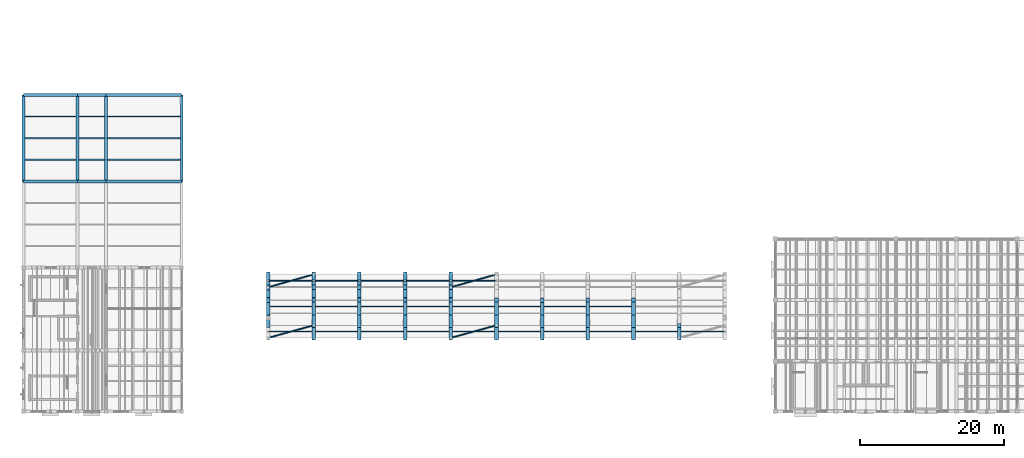
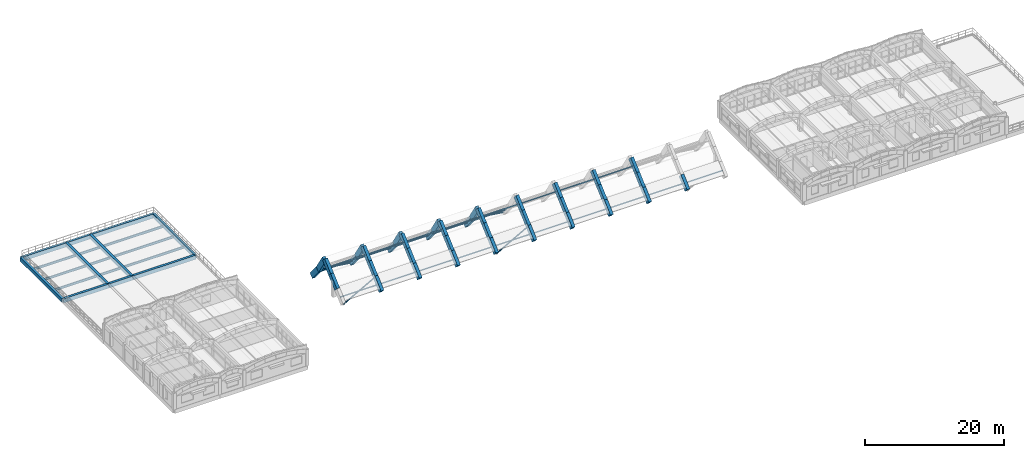
# One storey, part 6 of 40: 64 members, 19 beams.
"""IFC4 building model written with IfcOpenShell, lengths in metres."""

from ifc_helpers import new_model, si_unit, direction, frame, origin, origin_2d, place, context, subcontext, project, spatial, rectangle, hollow_rectangle, hollow_circle, i_section, extrude, material, material_profile, profile_set, type_object, element, save


model = new_model("IFC4")

# Units and contexts
model_context = context("Model", 3, precision=1e-05, world=origin(), true_north=direction((0.0, 1.0)))
body_context = subcontext(model_context, "Body", "Model", "MODEL_VIEW")
ifc_project = project(units=[si_unit("LENGTHUNIT", "METRE"), si_unit("AREAUNIT", "SQUARE_METRE"), si_unit("VOLUMEUNIT", "CUBIC_METRE"), si_unit("PLANEANGLEUNIT", "RADIAN"), si_unit("MASSUNIT", "GRAM", prefix="KILO")], contexts=[model_context])

# Site, building, storey
site_placement = place(None, origin())
site = spatial("IfcSite", under=ifc_project, at=site_placement, CompositionType="ELEMENT")
building_placement = place(site_placement, origin())
building = spatial("IfcBuilding", under=site, at=building_placement, Name="Trellovar Central Fire Station", CompositionType="ELEMENT")
storey_placement = place(building_placement, frame((0.0, 0.0, 12.75)))
storey = spatial("IfcBuildingStorey", under=building, at=storey_placement, Name="L04", CompositionType="ELEMENT", Elevation=12.75)

# Beams
ifc_material_1 = material(Name="Concrete C40/50", Category="concrete")
ifc_material_profile_1 = material_profile(ifc_material_1, rectangle(XDim=0.39990234375, YDim=0.699951171875, at=origin_2d()), Name="RC400X700")
ifc_profile_set_1 = profile_set([ifc_material_profile_1], Name="Concrete C40/50")
beam_type_1 = type_object("IfcBeamType", Name="BM-G3", PredefinedType="BEAM", material=ifc_profile_set_1)
beam_1_placement = place(storey_placement, frame((1.0, 41.0, -0.35009765625), z_axis=(1.0, 0.0, 0.0), x_axis=(0.0, 1.0, 0.0)))
element("IfcBeam", 1, at=beam_1_placement, inside=storey, type_object=beam_type_1, Name="L04 beam G-3", PredefinedType="BEAM", context=body_context, shape_type="SweptSolid", body=[
    extrude(rectangle(XDim=0.39990234375, YDim=0.699951171875, at=origin_2d()), origin(), (0.0, 0.0, 1.0), 7.5),
])
beam_2_placement = place(storey_placement, frame((8.5, 41.0, -0.35009765625), z_axis=(1.0, 0.0, 0.0), x_axis=(0.0, 1.0, 0.0)))
element("IfcBeam", 2, at=beam_2_placement, inside=storey, type_object=beam_type_1, Name="L04 beam G-3", PredefinedType="BEAM", context=body_context, shape_type="SweptSolid", body=[
    extrude(rectangle(XDim=0.39990234375, YDim=0.699951171875, at=origin_2d()), origin(), (0.0, 0.0, 1.0), 4.0),
])
beam_3_placement = place(storey_placement, frame((12.5, 41.0, -0.35009765625), z_axis=(1.0, 0.0, 0.0), x_axis=(0.0, 1.0, 0.0)))
element("IfcBeam", 3, at=beam_3_placement, inside=storey, type_object=beam_type_1, Name="L04 beam G-3", PredefinedType="BEAM", context=body_context, shape_type="SweptSolid", body=[
    extrude(rectangle(XDim=0.39990234375, YDim=0.699951171875, at=origin_2d()), origin(), (0.0, 0.0, 1.0), 10.5),
])
beam_4_placement = place(storey_placement, frame((1.0, 53.0, -0.35009765625), z_axis=(1.0, 0.0, 0.0), x_axis=(0.0, 1.0, 0.0)))
element("IfcBeam", 4, at=beam_4_placement, inside=storey, type_object=beam_type_1, Name="L04 beam G-3", PredefinedType="BEAM", context=body_context, shape_type="SweptSolid", body=[
    extrude(rectangle(XDim=0.39990234375, YDim=0.699951171875, at=origin_2d()), origin(), (0.0, 0.0, 1.0), 7.5),
])
beam_5_placement = place(storey_placement, frame((8.5, 53.0, -0.35009765625), z_axis=(1.0, 0.0, 0.0), x_axis=(0.0, 1.0, 0.0)))
element("IfcBeam", 5, at=beam_5_placement, inside=storey, type_object=beam_type_1, Name="L04 beam G-3", PredefinedType="BEAM", context=body_context, shape_type="SweptSolid", body=[
    extrude(rectangle(XDim=0.39990234375, YDim=0.699951171875, at=origin_2d()), origin(), (0.0, 0.0, 1.0), 4.0),
])
beam_6_placement = place(storey_placement, frame((12.5, 53.0, -0.35009765625), z_axis=(1.0, 0.0, 0.0), x_axis=(0.0, 1.0, 0.0)))
element("IfcBeam", 6, at=beam_6_placement, inside=storey, type_object=beam_type_1, Name="L04 beam G-3", PredefinedType="BEAM", context=body_context, shape_type="SweptSolid", body=[
    extrude(rectangle(XDim=0.39990234375, YDim=0.699951171875, at=origin_2d()), origin(), (0.0, 0.0, 1.0), 10.5),
])
ifc_material_2 = material(Name="Concrete C40/50", Category="concrete")
ifc_material_profile_2 = material_profile(ifc_material_2, rectangle(XDim=0.39990234375, YDim=0.64990234375, at=origin_2d()), Name="RC400X650")
ifc_profile_set_2 = profile_set([ifc_material_profile_2], Name="Concrete C40/50")
beam_type_2 = type_object("IfcBeamType", Name="BM-G4", PredefinedType="BEAM", material=ifc_profile_set_2)
for number, where, z_axis, x_axis, name in (
    (7, (1.0, 41.0, -0.324951171875), (0.0, 1.0, 0.0), (-1.0, 0.0, 0.0), "L04 beam G-4"),
    (8, (8.5, 41.0, -0.324951171875), (0.0, 1.0, 0.0), (-1.0, 0.0, 0.0), "L04 beam G-4"),
    (9, (12.5, 41.0, -0.324951171875), (0.0, 1.0, 0.0), (-1.0, 0.0, 0.0), "L04 beam G-4"),
    (10, (23.0, 41.0, -0.324951171875), (0.0, 1.0, 0.0), (-1.0, 0.0, 0.0), "L04 beam G-4"),
):
    element("IfcBeam", number, at=place(storey_placement, frame(where, z_axis=z_axis, x_axis=x_axis)), inside=storey, type_object=beam_type_2, Name=name, PredefinedType="BEAM", context=body_context, shape_type="SweptSolid", body=[
        extrude(rectangle(XDim=0.39990234375, YDim=0.64990234375, at=origin_2d()), origin(), (0.0, 0.0, 1.0), 12.0),
    ])
ifc_material_3 = material(Name="Steel ASTM A992 Grade 50", Category="steel")
ifc_material_profile_3 = material_profile(ifc_material_3, i_section(OverallWidth=0.177490234375, OverallDepth=0.40380859375, WebThickness=0.007568359375, FlangeThickness=0.010986328125, FilletRadius=0.011474609375, at=origin_2d()), Name="W16X36")
ifc_profile_set_3 = profile_set([ifc_material_profile_3], Name="Steel ASTM A992 Grade 50")
beam_type_3 = type_object("IfcBeamType", Name="BM-SW11", PredefinedType="JOIST", material=ifc_profile_set_3)
for number, where, z_axis, x_axis, name in (
    (11, (1.195068359375, 44.0, -0.44189453125), (1.0, 0.0, 0.0), (0.0, 1.0, 0.0), "L04 beam SB-11"),
    (12, (1.195068359375, 47.0, -0.44189453125), (1.0, 0.0, 0.0), (0.0, 1.0, 0.0), "L04 beam SB-11"),
    (13, (1.195068359375, 50.0, -0.44189453125), (1.0, 0.0, 0.0), (0.0, 1.0, 0.0), "L04 beam SB-11"),
):
    element("IfcBeam", number, at=place(storey_placement, frame(where, z_axis=z_axis, x_axis=x_axis)), inside=storey, type_object=beam_type_3, Name=name, PredefinedType="JOIST", context=body_context, shape_type="SweptSolid", body=[
        extrude(i_section(OverallWidth=0.177490234375, OverallDepth=0.40380859375, WebThickness=0.007568359375, FlangeThickness=0.010986328125, FilletRadius=0.011474609375, at=origin_2d()), origin(), (0.0, 0.0, 1.0), 7.10986328125),
    ])
for number, where, z_axis, x_axis, name in (
    (14, (8.695068359375, 44.0, -0.44189453125), (1.0, 0.0, 0.0), (0.0, 1.0, 0.0), "L04 beam SB-11"),
    (15, (8.695068359375, 47.0, -0.44189453125), (1.0, 0.0, 0.0), (0.0, 1.0, 0.0), "L04 beam SB-11"),
    (16, (8.695068359375, 50.0, -0.44189453125), (1.0, 0.0, 0.0), (0.0, 1.0, 0.0), "L04 beam SB-11"),
):
    element("IfcBeam", number, at=place(storey_placement, frame(where, z_axis=z_axis, x_axis=x_axis)), inside=storey, type_object=beam_type_3, Name=name, PredefinedType="JOIST", context=body_context, shape_type="SweptSolid", body=[
        extrude(i_section(OverallWidth=0.177490234375, OverallDepth=0.40380859375, WebThickness=0.007568359375, FlangeThickness=0.010986328125, FilletRadius=0.011474609375, at=origin_2d()), origin(), (0.0, 0.0, 1.0), 3.60986328125),
    ])
for number, where, z_axis, x_axis, name in (
    (17, (12.695068359375, 44.0, -0.44189453125), (1.0, 0.0, 0.0), (0.0, 1.0, 0.0), "L04 beam SB-11"),
    (18, (12.695068359375, 47.0, -0.44189453125), (1.0, 0.0, 0.0), (0.0, 1.0, 0.0), "L04 beam SB-11"),
    (19, (12.695068359375, 50.0, -0.44189453125), (1.0, 0.0, 0.0), (0.0, 1.0, 0.0), "L04 beam SB-11"),
):
    element("IfcBeam", number, at=place(storey_placement, frame(where, z_axis=z_axis, x_axis=x_axis)), inside=storey, type_object=beam_type_3, Name=name, PredefinedType="JOIST", context=body_context, shape_type="SweptSolid", body=[
        extrude(i_section(OverallWidth=0.177490234375, OverallDepth=0.40380859375, WebThickness=0.007568359375, FlangeThickness=0.010986328125, FilletRadius=0.011474609375, at=origin_2d()), origin(), (0.0, 0.0, 1.0), 10.10986328125),
    ])

# Members
ifc_material_4 = material(Name="Concrete C40/50", Category="concrete")
ifc_material_profile_4 = material_profile(ifc_material_4, rectangle(XDim=0.5, YDim=0.89990234375, at=origin_2d()), Name="RC500X900")
ifc_profile_set_4 = profile_set([ifc_material_profile_4], Name="Concrete C40/50")
member_type_1 = type_object("IfcMemberType", Name="MEM-AR1", PredefinedType="CHORD", material=ifc_profile_set_4)
for number, where, z_axis, x_axis, name in (
    (20, (35.0, 20.98681640625, 1.86669921875), (0.0, 0.744410696022, 0.667722034718), (-1.0, 0.0, 0.0), "Parabolic arch rib AR-01 chord 05"),
    (21, (35.0, 22.7333984375, 3.433349609375), (0.0, 0.744410696022, 0.667722034718), (-1.0, 0.0, 0.0), "Parabolic arch rib AR-01 chord 06"),
):
    element("IfcMember", number, at=place(storey_placement, frame(where, z_axis=z_axis, x_axis=x_axis)), inside=storey, type_object=member_type_1, Name=name, PredefinedType="CHORD", context=body_context, shape_type="SweptSolid", body=[
        extrude(rectangle(XDim=0.5, YDim=0.89990234375, at=origin_2d()), origin(), (0.0, 0.0, 1.0), 2.34619140625),
    ])
member_1_placement = place(storey_placement, frame((35.0, 24.47998046875, 5.0), z_axis=(0.0, 0.535294795788, -0.844665307445), x_axis=(-1.0, 0.0, 0.0)))
element("IfcMember", 22, at=member_1_placement, inside=storey, type_object=member_type_1, Name="Parabolic arch rib AR-01 chord 07", PredefinedType="CHORD", context=body_context, shape_type="SweptSolid", body=[
    extrude(rectangle(XDim=0.5, YDim=0.89990234375, at=origin_2d()), origin(), (0.0, 0.0, 1.0), 3.349853515625),
])
member_2_placement = place(storey_placement, frame((35.0, 26.273193359375, 2.17041015625), z_axis=(0.0, 0.638268060752, -0.769814187076), x_axis=(-1.0, 0.0, 0.0)))
element("IfcMember", 23, at=member_2_placement, inside=storey, type_object=member_type_1, Name="Parabolic arch rib AR-01 chord 08", PredefinedType="CHORD", context=body_context, shape_type="SweptSolid", body=[
    extrude(rectangle(XDim=0.5, YDim=0.89990234375, at=origin_2d()), origin(), (0.0, 0.0, 1.0), 2.809814453125),
])
member_3_placement = place(storey_placement, frame((73.10009765625, 19.239990234375, 0.300048828125), z_axis=(0.0, 0.744457083913, 0.667670315509), x_axis=(-1.0, 0.0, 0.0)))
element("IfcMember", 24, at=member_3_placement, inside=storey, type_object=member_type_1, Name="Parabolic arch rib AR-07 chord 04", PredefinedType="CHORD", context=body_context, shape_type="SweptSolid", body=[
    extrude(rectangle(XDim=0.5, YDim=0.89990234375, at=origin_2d()), origin(), (0.0, 0.0, 1.0), 2.346435546875),
])
for number, where, z_axis, x_axis, name in (
    (25, (73.10009765625, 20.98681640625, 1.86669921875), (0.0, 0.744410696022, 0.667722034718), (-1.0, 0.0, 0.0), "Parabolic arch rib AR-07 chord 05"),
    (26, (73.10009765625, 22.7333984375, 3.433349609375), (0.0, 0.744410696022, 0.667722034718), (-1.0, 0.0, 0.0), "Parabolic arch rib AR-07 chord 06"),
):
    element("IfcMember", number, at=place(storey_placement, frame(where, z_axis=z_axis, x_axis=x_axis)), inside=storey, type_object=member_type_1, Name=name, PredefinedType="CHORD", context=body_context, shape_type="SweptSolid", body=[
        extrude(rectangle(XDim=0.5, YDim=0.89990234375, at=origin_2d()), origin(), (0.0, 0.0, 1.0), 2.34619140625),
    ])
ifc_material_5 = material(Name="Concrete C40/50", Category="concrete")
ifc_material_profile_5 = material_profile(ifc_material_5, rectangle(XDim=0.5, YDim=0.85009765625, at=origin_2d()), Name="RC500X850")
ifc_profile_set_5 = profile_set([ifc_material_profile_5], Name="Concrete C40/50")
member_type_2 = type_object("IfcMemberType", Name="MEM-AR2", PredefinedType="CHORD", material=ifc_profile_set_5)
member_4_placement = place(storey_placement, frame((41.35009765625, 19.239990234375, 0.300048828125), z_axis=(0.0, 0.744457083913, 0.667670315509), x_axis=(-1.0, 0.0, 0.0)))
element("IfcMember", 27, at=member_4_placement, inside=storey, type_object=member_type_2, Name="Parabolic arch rib AR-02 chord 04", PredefinedType="CHORD", context=body_context, shape_type="SweptSolid", body=[
    extrude(rectangle(XDim=0.5, YDim=0.85009765625, at=origin_2d()), origin(), (0.0, 0.0, 1.0), 2.346435546875),
])
for number, where, z_axis, x_axis, name in (
    (28, (41.35009765625, 20.98681640625, 1.86669921875), (0.0, 0.744410696022, 0.667722034718), (-1.0, 0.0, 0.0), "Parabolic arch rib AR-02 chord 05"),
    (29, (41.35009765625, 22.7333984375, 3.433349609375), (0.0, 0.744410696022, 0.667722034718), (-1.0, 0.0, 0.0), "Parabolic arch rib AR-02 chord 06"),
):
    element("IfcMember", number, at=place(storey_placement, frame(where, z_axis=z_axis, x_axis=x_axis)), inside=storey, type_object=member_type_2, Name=name, PredefinedType="CHORD", context=body_context, shape_type="SweptSolid", body=[
        extrude(rectangle(XDim=0.5, YDim=0.85009765625, at=origin_2d()), origin(), (0.0, 0.0, 1.0), 2.34619140625),
    ])
member_5_placement = place(storey_placement, frame((41.35009765625, 24.47998046875, 5.0), z_axis=(0.0, 0.535294795788, -0.844665307445), x_axis=(-1.0, 0.0, 0.0)))
element("IfcMember", 30, at=member_5_placement, inside=storey, type_object=member_type_2, Name="Parabolic arch rib AR-02 chord 07", PredefinedType="CHORD", context=body_context, shape_type="SweptSolid", body=[
    extrude(rectangle(XDim=0.5, YDim=0.85009765625, at=origin_2d()), origin(), (0.0, 0.0, 1.0), 3.349853515625),
])
member_6_placement = place(storey_placement, frame((41.35009765625, 26.273193359375, 2.17041015625), z_axis=(0.0, 0.638268060752, -0.769814187076), x_axis=(-1.0, 0.0, 0.0)))
element("IfcMember", 31, at=member_6_placement, inside=storey, type_object=member_type_2, Name="Parabolic arch rib AR-02 chord 08", PredefinedType="CHORD", context=body_context, shape_type="SweptSolid", body=[
    extrude(rectangle(XDim=0.5, YDim=0.85009765625, at=origin_2d()), origin(), (0.0, 0.0, 1.0), 2.809814453125),
])
member_7_placement = place(storey_placement, frame((47.699951171875, 19.239990234375, 0.300048828125), z_axis=(0.0, 0.744457083913, 0.667670315509), x_axis=(-1.0, 0.0, 0.0)))
element("IfcMember", 32, at=member_7_placement, inside=storey, type_object=member_type_2, Name="Parabolic arch rib AR-03 chord 04", PredefinedType="CHORD", context=body_context, shape_type="SweptSolid", body=[
    extrude(rectangle(XDim=0.5, YDim=0.85009765625, at=origin_2d()), origin(), (0.0, 0.0, 1.0), 2.346435546875),
])
for number, where, z_axis, x_axis, name in (
    (33, (47.699951171875, 20.98681640625, 1.86669921875), (0.0, 0.744410696022, 0.667722034718), (-1.0, 0.0, 0.0), "Parabolic arch rib AR-03 chord 05"),
    (34, (47.699951171875, 22.7333984375, 3.433349609375), (0.0, 0.744410696022, 0.667722034718), (-1.0, 0.0, 0.0), "Parabolic arch rib AR-03 chord 06"),
):
    element("IfcMember", number, at=place(storey_placement, frame(where, z_axis=z_axis, x_axis=x_axis)), inside=storey, type_object=member_type_2, Name=name, PredefinedType="CHORD", context=body_context, shape_type="SweptSolid", body=[
        extrude(rectangle(XDim=0.5, YDim=0.85009765625, at=origin_2d()), origin(), (0.0, 0.0, 1.0), 2.34619140625),
    ])
member_8_placement = place(storey_placement, frame((47.699951171875, 24.47998046875, 5.0), z_axis=(0.0, 0.535294795788, -0.844665307445), x_axis=(-1.0, 0.0, 0.0)))
element("IfcMember", 35, at=member_8_placement, inside=storey, type_object=member_type_2, Name="Parabolic arch rib AR-03 chord 07", PredefinedType="CHORD", context=body_context, shape_type="SweptSolid", body=[
    extrude(rectangle(XDim=0.5, YDim=0.85009765625, at=origin_2d()), origin(), (0.0, 0.0, 1.0), 3.349853515625),
])
member_9_placement = place(storey_placement, frame((47.699951171875, 26.273193359375, 2.17041015625), z_axis=(0.0, 0.638268060752, -0.769814187076), x_axis=(-1.0, 0.0, 0.0)))
element("IfcMember", 36, at=member_9_placement, inside=storey, type_object=member_type_2, Name="Parabolic arch rib AR-03 chord 08", PredefinedType="CHORD", context=body_context, shape_type="SweptSolid", body=[
    extrude(rectangle(XDim=0.5, YDim=0.85009765625, at=origin_2d()), origin(), (0.0, 0.0, 1.0), 2.809814453125),
])
member_10_placement = place(storey_placement, frame((54.050048828125, 19.239990234375, 0.300048828125), z_axis=(0.0, 0.744457083913, 0.667670315509), x_axis=(-1.0, 0.0, 0.0)))
element("IfcMember", 37, at=member_10_placement, inside=storey, type_object=member_type_2, Name="Parabolic arch rib AR-04 chord 04", PredefinedType="CHORD", context=body_context, shape_type="SweptSolid", body=[
    extrude(rectangle(XDim=0.5, YDim=0.85009765625, at=origin_2d()), origin(), (0.0, 0.0, 1.0), 2.346435546875),
])
for number, where, z_axis, x_axis, name in (
    (38, (54.050048828125, 20.98681640625, 1.86669921875), (0.0, 0.744410696022, 0.667722034718), (-1.0, 0.0, 0.0), "Parabolic arch rib AR-04 chord 05"),
    (39, (54.050048828125, 22.7333984375, 3.433349609375), (0.0, 0.744410696022, 0.667722034718), (-1.0, 0.0, 0.0), "Parabolic arch rib AR-04 chord 06"),
):
    element("IfcMember", number, at=place(storey_placement, frame(where, z_axis=z_axis, x_axis=x_axis)), inside=storey, type_object=member_type_2, Name=name, PredefinedType="CHORD", context=body_context, shape_type="SweptSolid", body=[
        extrude(rectangle(XDim=0.5, YDim=0.85009765625, at=origin_2d()), origin(), (0.0, 0.0, 1.0), 2.34619140625),
    ])
member_11_placement = place(storey_placement, frame((54.050048828125, 24.47998046875, 5.0), z_axis=(0.0, 0.535294795788, -0.844665307445), x_axis=(-1.0, 0.0, 0.0)))
element("IfcMember", 40, at=member_11_placement, inside=storey, type_object=member_type_2, Name="Parabolic arch rib AR-04 chord 07", PredefinedType="CHORD", context=body_context, shape_type="SweptSolid", body=[
    extrude(rectangle(XDim=0.5, YDim=0.85009765625, at=origin_2d()), origin(), (0.0, 0.0, 1.0), 3.349853515625),
])
member_12_placement = place(storey_placement, frame((54.050048828125, 26.273193359375, 2.17041015625), z_axis=(0.0, 0.638268060752, -0.769814187076), x_axis=(-1.0, 0.0, 0.0)))
element("IfcMember", 41, at=member_12_placement, inside=storey, type_object=member_type_2, Name="Parabolic arch rib AR-04 chord 08", PredefinedType="CHORD", context=body_context, shape_type="SweptSolid", body=[
    extrude(rectangle(XDim=0.5, YDim=0.85009765625, at=origin_2d()), origin(), (0.0, 0.0, 1.0), 2.809814453125),
])
member_13_placement = place(storey_placement, frame((60.39990234375, 19.239990234375, 0.300048828125), z_axis=(0.0, 0.744457083913, 0.667670315509), x_axis=(-1.0, 0.0, 0.0)))
element("IfcMember", 42, at=member_13_placement, inside=storey, type_object=member_type_2, Name="Parabolic arch rib AR-05 chord 04", PredefinedType="CHORD", context=body_context, shape_type="SweptSolid", body=[
    extrude(rectangle(XDim=0.5, YDim=0.85009765625, at=origin_2d()), origin(), (0.0, 0.0, 1.0), 2.346435546875),
])
for number, where, z_axis, x_axis, name in (
    (43, (60.39990234375, 20.98681640625, 1.86669921875), (0.0, 0.744410696022, 0.667722034718), (-1.0, 0.0, 0.0), "Parabolic arch rib AR-05 chord 05"),
    (44, (60.39990234375, 22.7333984375, 3.433349609375), (0.0, 0.744410696022, 0.667722034718), (-1.0, 0.0, 0.0), "Parabolic arch rib AR-05 chord 06"),
):
    element("IfcMember", number, at=place(storey_placement, frame(where, z_axis=z_axis, x_axis=x_axis)), inside=storey, type_object=member_type_2, Name=name, PredefinedType="CHORD", context=body_context, shape_type="SweptSolid", body=[
        extrude(rectangle(XDim=0.5, YDim=0.85009765625, at=origin_2d()), origin(), (0.0, 0.0, 1.0), 2.34619140625),
    ])
member_14_placement = place(storey_placement, frame((60.39990234375, 24.47998046875, 5.0), z_axis=(0.0, 0.535294795788, -0.844665307445), x_axis=(-1.0, 0.0, 0.0)))
element("IfcMember", 45, at=member_14_placement, inside=storey, type_object=member_type_2, Name="Parabolic arch rib AR-05 chord 07", PredefinedType="CHORD", context=body_context, shape_type="SweptSolid", body=[
    extrude(rectangle(XDim=0.5, YDim=0.85009765625, at=origin_2d()), origin(), (0.0, 0.0, 1.0), 3.349853515625),
])
member_15_placement = place(storey_placement, frame((60.39990234375, 26.273193359375, 2.17041015625), z_axis=(0.0, 0.638268060752, -0.769814187076), x_axis=(-1.0, 0.0, 0.0)))
element("IfcMember", 46, at=member_15_placement, inside=storey, type_object=member_type_2, Name="Parabolic arch rib AR-05 chord 08", PredefinedType="CHORD", context=body_context, shape_type="SweptSolid", body=[
    extrude(rectangle(XDim=0.5, YDim=0.85009765625, at=origin_2d()), origin(), (0.0, 0.0, 1.0), 2.809814453125),
])
member_16_placement = place(storey_placement, frame((66.75, 19.239990234375, 0.300048828125), z_axis=(0.0, 0.744457083913, 0.667670315509), x_axis=(-1.0, 0.0, 0.0)))
element("IfcMember", 47, at=member_16_placement, inside=storey, type_object=member_type_2, Name="Parabolic arch rib AR-06 chord 04", PredefinedType="CHORD", context=body_context, shape_type="SweptSolid", body=[
    extrude(rectangle(XDim=0.5, YDim=0.85009765625, at=origin_2d()), origin(), (0.0, 0.0, 1.0), 2.346435546875),
])
for number, where, z_axis, x_axis, name in (
    (48, (66.75, 20.98681640625, 1.86669921875), (0.0, 0.744410696022, 0.667722034718), (-1.0, 0.0, 0.0), "Parabolic arch rib AR-06 chord 05"),
    (49, (66.75, 22.7333984375, 3.433349609375), (0.0, 0.744410696022, 0.667722034718), (-1.0, 0.0, 0.0), "Parabolic arch rib AR-06 chord 06"),
):
    element("IfcMember", number, at=place(storey_placement, frame(where, z_axis=z_axis, x_axis=x_axis)), inside=storey, type_object=member_type_2, Name=name, PredefinedType="CHORD", context=body_context, shape_type="SweptSolid", body=[
        extrude(rectangle(XDim=0.5, YDim=0.85009765625, at=origin_2d()), origin(), (0.0, 0.0, 1.0), 2.34619140625),
    ])
member_17_placement = place(storey_placement, frame((79.449951171875, 19.239990234375, 0.300048828125), z_axis=(0.0, 0.744457083913, 0.667670315509), x_axis=(-1.0, 0.0, 0.0)))
element("IfcMember", 50, at=member_17_placement, inside=storey, type_object=member_type_2, Name="Parabolic arch rib AR-08 chord 04", PredefinedType="CHORD", context=body_context, shape_type="SweptSolid", body=[
    extrude(rectangle(XDim=0.5, YDim=0.85009765625, at=origin_2d()), origin(), (0.0, 0.0, 1.0), 2.346435546875),
])
for number, where, z_axis, x_axis, name in (
    (51, (79.449951171875, 20.98681640625, 1.86669921875), (0.0, 0.744410696022, 0.667722034718), (-1.0, 0.0, 0.0), "Parabolic arch rib AR-08 chord 05"),
    (52, (79.449951171875, 22.7333984375, 3.433349609375), (0.0, 0.744410696022, 0.667722034718), (-1.0, 0.0, 0.0), "Parabolic arch rib AR-08 chord 06"),
):
    element("IfcMember", number, at=place(storey_placement, frame(where, z_axis=z_axis, x_axis=x_axis)), inside=storey, type_object=member_type_2, Name=name, PredefinedType="CHORD", context=body_context, shape_type="SweptSolid", body=[
        extrude(rectangle(XDim=0.5, YDim=0.85009765625, at=origin_2d()), origin(), (0.0, 0.0, 1.0), 2.34619140625),
    ])
member_18_placement = place(storey_placement, frame((85.800048828125, 19.239990234375, 0.300048828125), z_axis=(0.0, 0.744457083913, 0.667670315509), x_axis=(-1.0, 0.0, 0.0)))
element("IfcMember", 53, at=member_18_placement, inside=storey, type_object=member_type_2, Name="Parabolic arch rib AR-09 chord 04", PredefinedType="CHORD", context=body_context, shape_type="SweptSolid", body=[
    extrude(rectangle(XDim=0.5, YDim=0.85009765625, at=origin_2d()), origin(), (0.0, 0.0, 1.0), 2.346435546875),
])
for number, where, z_axis, x_axis, name in (
    (54, (85.800048828125, 20.98681640625, 1.86669921875), (0.0, 0.744410696022, 0.667722034718), (-1.0, 0.0, 0.0), "Parabolic arch rib AR-09 chord 05"),
    (55, (85.800048828125, 22.7333984375, 3.433349609375), (0.0, 0.744410696022, 0.667722034718), (-1.0, 0.0, 0.0), "Parabolic arch rib AR-09 chord 06"),
):
    element("IfcMember", number, at=place(storey_placement, frame(where, z_axis=z_axis, x_axis=x_axis)), inside=storey, type_object=member_type_2, Name=name, PredefinedType="CHORD", context=body_context, shape_type="SweptSolid", body=[
        extrude(rectangle(XDim=0.5, YDim=0.85009765625, at=origin_2d()), origin(), (0.0, 0.0, 1.0), 2.34619140625),
    ])
member_19_placement = place(storey_placement, frame((92.14990234375, 19.239990234375, 0.300048828125), z_axis=(0.0, 0.744457083913, 0.667670315509), x_axis=(-1.0, 0.0, 0.0)))
element("IfcMember", 56, at=member_19_placement, inside=storey, type_object=member_type_2, Name="Parabolic arch rib AR-10 chord 04", PredefinedType="CHORD", context=body_context, shape_type="SweptSolid", body=[
    extrude(rectangle(XDim=0.5, YDim=0.85009765625, at=origin_2d()), origin(), (0.0, 0.0, 1.0), 2.346435546875),
])
ifc_material_6 = material(Name="Steel ASTM A500 Grade C", Category="steel")
ifc_material_profile_6 = material_profile(ifc_material_6, hollow_circle(Radius=0.109619140625, WallThickness=0.0087890625, at=origin_2d()), Name="HSS8.625X0.375")
ifc_profile_set_6 = profile_set([ifc_material_profile_6], Name="Steel ASTM A500 Grade C")
member_type_3 = type_object("IfcMemberType", Name="MEM-BR5", PredefinedType="BRACE", material=ifc_profile_set_6)
member_20_placement = place(storey_placement, frame((35.0, 19.239990234375, 0.25), z_axis=(0.938010450858, 0.258034016758, 0.231419187357), x_axis=(-0.265234024919, 0.964184065428, 0.0)))
element("IfcMember", 57, at=member_20_placement, inside=storey, type_object=member_type_3, Name="Vault diagonal brace V1-01-04", PredefinedType="BRACE", context=body_context, shape_type="SweptSolid", body=[
    extrude(hollow_circle(Radius=0.109619140625, WallThickness=0.0087890625, at=origin_2d()), origin(), (0.0, 0.0, 1.0), 6.769775390625),
])
member_21_placement = place(storey_placement, frame((35.0, 26.273193359375, 2.120361328125), z_axis=(0.914472274498, 0.258274253305, -0.311504204231), x_axis=(-0.271797604511, 0.96235443688, 0.0)))
element("IfcMember", 58, at=member_21_placement, inside=storey, type_object=member_type_3, Name="Vault diagonal brace V1-01-08", PredefinedType="BRACE", context=body_context, shape_type="SweptSolid", body=[
    extrude(hollow_circle(Radius=0.109619140625, WallThickness=0.0087890625, at=origin_2d()), origin(), (0.0, 0.0, 1.0), 6.944091796875),
])
member_22_placement = place(storey_placement, frame((60.39990234375, 19.239990234375, 0.25), z_axis=(0.938010450858, 0.258034016758, 0.231419187357), x_axis=(-0.265234024919, 0.964184065428, 0.0)))
element("IfcMember", 59, at=member_22_placement, inside=storey, type_object=member_type_3, Name="Vault diagonal brace V1-05-04", PredefinedType="BRACE", context=body_context, shape_type="SweptSolid", body=[
    extrude(hollow_circle(Radius=0.109619140625, WallThickness=0.0087890625, at=origin_2d()), origin(), (0.0, 0.0, 1.0), 6.769775390625),
])
member_23_placement = place(storey_placement, frame((60.39990234375, 26.273193359375, 2.120361328125), z_axis=(0.914472274498, 0.258274253305, -0.311504204231), x_axis=(-0.271797604511, 0.96235443688, 0.0)))
element("IfcMember", 60, at=member_23_placement, inside=storey, type_object=member_type_3, Name="Vault diagonal brace V1-05-08", PredefinedType="BRACE", context=body_context, shape_type="SweptSolid", body=[
    extrude(hollow_circle(Radius=0.109619140625, WallThickness=0.0087890625, at=origin_2d()), origin(), (0.0, 0.0, 1.0), 6.944091796875),
])
ifc_material_7 = material(Name="Steel ASTM A500 Grade C", Category="steel")
ifc_material_profile_7 = material_profile(ifc_material_7, hollow_rectangle(XDim=0.1015625, YDim=0.203125, WallThickness=0.0087890625, InnerFilletRadius=0.0087890625, OuterFilletRadius=0.017822265625, at=origin_2d()), Name="HSS8X4X3/8")
ifc_profile_set_7 = profile_set([ifc_material_profile_7], Name="Steel ASTM A500 Grade C")
member_type_4 = type_object("IfcMemberType", Name="MEM-PU1", PredefinedType="PURLIN", material=ifc_profile_set_7)
for number, where, z_axis, x_axis, name in (
    (61, (35.0, 20.11328125, 0.993408203125), (1.0, 0.0, 0.0), (0.0, 1.0, 0.0), "Vault purlin V1-01-04"),
    (62, (35.0, 23.606689453125, 4.126708984375), (1.0, 0.0, 0.0), (0.0, 1.0, 0.0), "Vault purlin V1-01-06"),
    (63, (35.0, 27.169921875, 0.998779296875), (1.0, 0.0, 0.0), (0.0, 1.0, 0.0), "Vault purlin V1-01-08"),
):
    element("IfcMember", number, at=place(storey_placement, frame(where, z_axis=z_axis, x_axis=x_axis)), inside=storey, type_object=member_type_4, Name=name, PredefinedType="PURLIN", context=body_context, shape_type="SweptSolid", body=[
        extrude(hollow_rectangle(XDim=0.1015625, YDim=0.203125, WallThickness=0.0087890625, InnerFilletRadius=0.0087890625, OuterFilletRadius=0.017822265625, at=origin_2d()), origin(), (0.0, 0.0, 1.0), 6.35009765625),
    ])
for number, where, z_axis, x_axis, name in (
    (64, (41.35009765625, 20.11328125, 0.993408203125), (1.0, 0.0, 0.0), (0.0, 1.0, 0.0), "Vault purlin V1-02-04"),
    (65, (41.35009765625, 23.606689453125, 4.126708984375), (1.0, 0.0, 0.0), (0.0, 1.0, 0.0), "Vault purlin V1-02-06"),
    (66, (41.35009765625, 27.169921875, 0.998779296875), (1.0, 0.0, 0.0), (0.0, 1.0, 0.0), "Vault purlin V1-02-08"),
):
    element("IfcMember", number, at=place(storey_placement, frame(where, z_axis=z_axis, x_axis=x_axis)), inside=storey, type_object=member_type_4, Name=name, PredefinedType="PURLIN", context=body_context, shape_type="SweptSolid", body=[
        extrude(hollow_rectangle(XDim=0.1015625, YDim=0.203125, WallThickness=0.0087890625, InnerFilletRadius=0.0087890625, OuterFilletRadius=0.017822265625, at=origin_2d()), origin(), (0.0, 0.0, 1.0), 6.349853515625),
    ])
for number, where, z_axis, x_axis, name in (
    (67, (47.699951171875, 20.11328125, 0.993408203125), (1.0, 0.0, 0.0), (0.0, 1.0, 0.0), "Vault purlin V1-03-04"),
    (68, (47.699951171875, 23.606689453125, 4.126708984375), (1.0, 0.0, 0.0), (0.0, 1.0, 0.0), "Vault purlin V1-03-06"),
    (69, (47.699951171875, 27.169921875, 0.998779296875), (1.0, 0.0, 0.0), (0.0, 1.0, 0.0), "Vault purlin V1-03-08"),
):
    element("IfcMember", number, at=place(storey_placement, frame(where, z_axis=z_axis, x_axis=x_axis)), inside=storey, type_object=member_type_4, Name=name, PredefinedType="PURLIN", context=body_context, shape_type="SweptSolid", body=[
        extrude(hollow_rectangle(XDim=0.1015625, YDim=0.203125, WallThickness=0.0087890625, InnerFilletRadius=0.0087890625, OuterFilletRadius=0.017822265625, at=origin_2d()), origin(), (0.0, 0.0, 1.0), 6.35009765625),
    ])
for number, where, z_axis, x_axis, name in (
    (70, (54.050048828125, 20.11328125, 0.993408203125), (1.0, 0.0, 0.0), (0.0, 1.0, 0.0), "Vault purlin V1-04-04"),
    (71, (54.050048828125, 23.606689453125, 4.126708984375), (1.0, 0.0, 0.0), (0.0, 1.0, 0.0), "Vault purlin V1-04-06"),
    (72, (54.050048828125, 27.169921875, 0.998779296875), (1.0, 0.0, 0.0), (0.0, 1.0, 0.0), "Vault purlin V1-04-08"),
):
    element("IfcMember", number, at=place(storey_placement, frame(where, z_axis=z_axis, x_axis=x_axis)), inside=storey, type_object=member_type_4, Name=name, PredefinedType="PURLIN", context=body_context, shape_type="SweptSolid", body=[
        extrude(hollow_rectangle(XDim=0.1015625, YDim=0.203125, WallThickness=0.0087890625, InnerFilletRadius=0.0087890625, OuterFilletRadius=0.017822265625, at=origin_2d()), origin(), (0.0, 0.0, 1.0), 6.349853515625),
    ])
for number, where, z_axis, x_axis, name in (
    (73, (60.39990234375, 20.11328125, 0.993408203125), (1.0, 0.0, 0.0), (0.0, 1.0, 0.0), "Vault purlin V1-05-04"),
    (74, (60.39990234375, 23.606689453125, 4.126708984375), (1.0, 0.0, 0.0), (0.0, 1.0, 0.0), "Vault purlin V1-05-06"),
    (75, (60.39990234375, 27.169921875, 0.998779296875), (1.0, 0.0, 0.0), (0.0, 1.0, 0.0), "Vault purlin V1-05-08"),
    (76, (66.75, 20.11328125, 0.993408203125), (1.0, 0.0, 0.0), (0.0, 1.0, 0.0), "Vault purlin V1-06-04"),
    (77, (66.75, 23.606689453125, 4.126708984375), (1.0, 0.0, 0.0), (0.0, 1.0, 0.0), "Vault purlin V1-06-06"),
):
    element("IfcMember", number, at=place(storey_placement, frame(where, z_axis=z_axis, x_axis=x_axis)), inside=storey, type_object=member_type_4, Name=name, PredefinedType="PURLIN", context=body_context, shape_type="SweptSolid", body=[
        extrude(hollow_rectangle(XDim=0.1015625, YDim=0.203125, WallThickness=0.0087890625, InnerFilletRadius=0.0087890625, OuterFilletRadius=0.017822265625, at=origin_2d()), origin(), (0.0, 0.0, 1.0), 6.35009765625),
    ])
for number, where, z_axis, x_axis, name in (
    (78, (73.10009765625, 20.11328125, 0.993408203125), (1.0, 0.0, 0.0), (0.0, 1.0, 0.0), "Vault purlin V1-07-04"),
    (79, (73.10009765625, 23.606689453125, 4.126708984375), (1.0, 0.0, 0.0), (0.0, 1.0, 0.0), "Vault purlin V1-07-06"),
):
    element("IfcMember", number, at=place(storey_placement, frame(where, z_axis=z_axis, x_axis=x_axis)), inside=storey, type_object=member_type_4, Name=name, PredefinedType="PURLIN", context=body_context, shape_type="SweptSolid", body=[
        extrude(hollow_rectangle(XDim=0.1015625, YDim=0.203125, WallThickness=0.0087890625, InnerFilletRadius=0.0087890625, OuterFilletRadius=0.017822265625, at=origin_2d()), origin(), (0.0, 0.0, 1.0), 6.349853515625),
    ])
for number, where, z_axis, x_axis, name in (
    (80, (79.449951171875, 20.11328125, 0.993408203125), (1.0, 0.0, 0.0), (0.0, 1.0, 0.0), "Vault purlin V1-08-04"),
    (81, (79.449951171875, 23.606689453125, 4.126708984375), (1.0, 0.0, 0.0), (0.0, 1.0, 0.0), "Vault purlin V1-08-06"),
):
    element("IfcMember", number, at=place(storey_placement, frame(where, z_axis=z_axis, x_axis=x_axis)), inside=storey, type_object=member_type_4, Name=name, PredefinedType="PURLIN", context=body_context, shape_type="SweptSolid", body=[
        extrude(hollow_rectangle(XDim=0.1015625, YDim=0.203125, WallThickness=0.0087890625, InnerFilletRadius=0.0087890625, OuterFilletRadius=0.017822265625, at=origin_2d()), origin(), (0.0, 0.0, 1.0), 6.35009765625),
    ])
member_24_placement = place(storey_placement, frame((85.800048828125, 20.11328125, 0.993408203125), z_axis=(1.0, 0.0, 0.0), x_axis=(0.0, 1.0, 0.0)))
element("IfcMember", 82, at=member_24_placement, inside=storey, type_object=member_type_4, Name="Vault purlin V1-09-04", PredefinedType="PURLIN", context=body_context, shape_type="SweptSolid", body=[
    extrude(hollow_rectangle(XDim=0.1015625, YDim=0.203125, WallThickness=0.0087890625, InnerFilletRadius=0.0087890625, OuterFilletRadius=0.017822265625, at=origin_2d()), origin(), (0.0, 0.0, 1.0), 6.349853515625),
])
member_25_placement = place(storey_placement, frame((92.14990234375, 20.11328125, 0.993408203125), z_axis=(1.0, 0.0, 0.0), x_axis=(0.0, 1.0, 0.0)))
element("IfcMember", 83, at=member_25_placement, inside=storey, type_object=member_type_4, Name="Vault purlin V1-10-04", PredefinedType="PURLIN", context=body_context, shape_type="SweptSolid", body=[
    extrude(hollow_rectangle(XDim=0.1015625, YDim=0.203125, WallThickness=0.0087890625, InnerFilletRadius=0.0087890625, OuterFilletRadius=0.017822265625, at=origin_2d()), origin(), (0.0, 0.0, 1.0), 6.35009765625),
])

save(model, "model.ifc")
